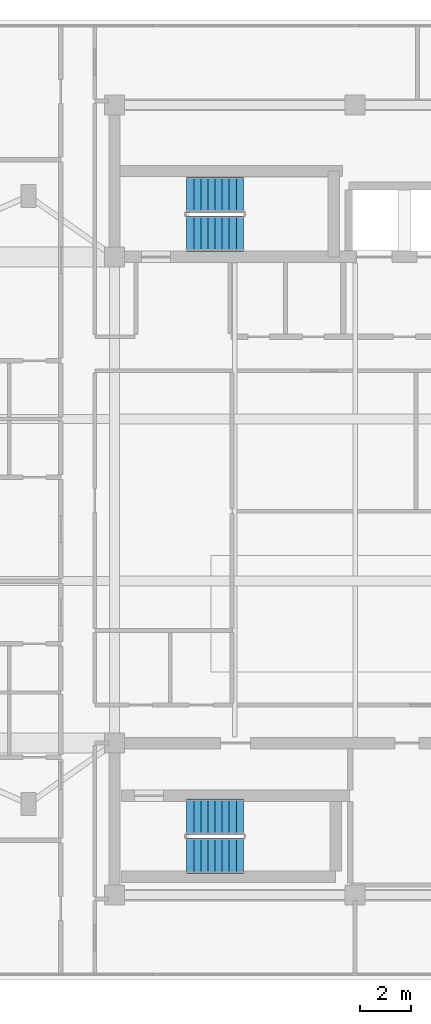
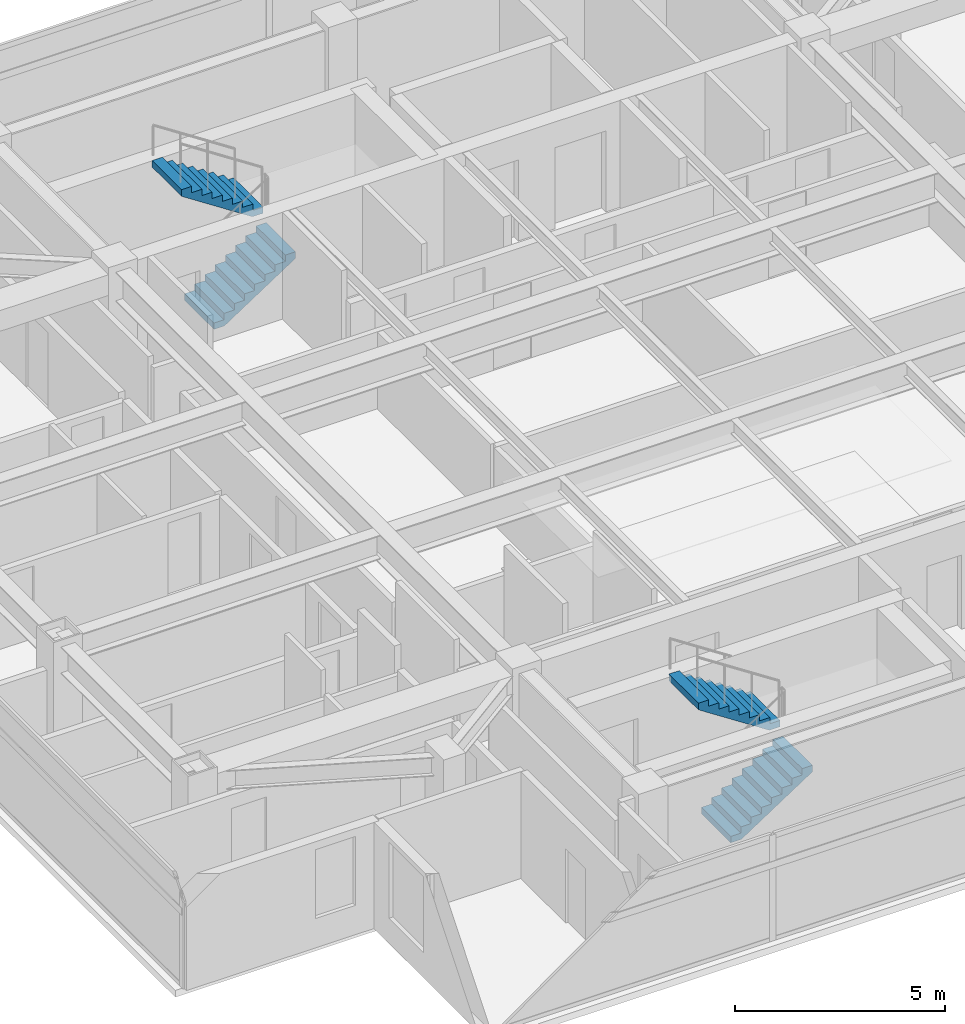
# One storey, part 11 of 15: 4 stair flights, 2 elements without a shape of their own.
"""IFC4 building model written with IfcOpenShell, lengths in metres."""

from ifc_helpers import new_model, si_unit, direction, frame, origin, place, context, subcontext, project, spatial, polyline, outline, extrude, material, type_object, element, aggregate, save


model = new_model("IFC4")

# Units and contexts
model_context = context("Model", 3, precision=1e-05, world=origin(), true_north=direction((0.0, 1.0)))
body_context = subcontext(model_context, "Body", "Model", "MODEL_VIEW")
ifc_project = project(units=[si_unit("LENGTHUNIT", "METRE"), si_unit("AREAUNIT", "SQUARE_METRE"), si_unit("VOLUMEUNIT", "CUBIC_METRE"), si_unit("PLANEANGLEUNIT", "RADIAN"), si_unit("MASSUNIT", "GRAM", prefix="KILO")], contexts=[model_context])

# Site, building, storey
site_placement = place(None, origin())
site = spatial("IfcSite", under=ifc_project, at=site_placement, CompositionType="ELEMENT")
building_placement = place(site_placement, origin())
building = spatial("IfcBuilding", under=site, at=building_placement, Name="Mirazonda Arch Towers", CompositionType="ELEMENT")
storey_placement = place(building_placement, frame((0.0, 0.0, 229.300048828125)))
storey = spatial("IfcBuildingStorey", under=building, at=storey_placement, Name="L65", CompositionType="ELEMENT", Elevation=229.300048828125)

# Stair, stair flights
ifc_material = material(Name="Concrete C40/50", Category="concrete")
stair_type = type_object("IfcStairType", Name="STAIR-CORE-1400", PredefinedType="HALF_TURN_STAIR", material=ifc_material)
stair_1_placement = place(storey_placement, origin())
stair_1 = element("IfcStair", 1, at=stair_1_placement, inside=storey, type_object=stair_type, Name="L65 Protected Exit Stair ST-T1N", PredefinedType="HALF_TURN_STAIR")
stair_flight_type = type_object("IfcStairFlightType", Name="FLIGHT-1400", PredefinedType="STRAIGHT", material=ifc_material)
stair_flight_1_placement = place(storey_placement, frame((13.85009765625, 38.52001953125, 0.0), z_axis=(0.0, 0.0, 1.0), x_axis=(1.0, 0.0, 0.0)))
stair_flight_1 = element("IfcStairFlight", 2, at=stair_flight_1_placement, type_object=stair_flight_type, Name="ST-T1N flight 1", NumberOfRisers=9, NumberOfTreads=8, PredefinedType="STRAIGHT", RiserHeight=0.183333333, TreadLength=0.28, context=body_context, shape_type="SweptSolid", body=[
    extrude(outline(polyline([(0.0, 0.0), (0.0, 0.183349609375), (0.280029296875, 0.183349609375), (0.280029296875, 0.36669921875), (0.56005859375, 0.36669921875), (0.56005859375, 0.550048828125), (0.840087890625, 0.550048828125), (0.840087890625, 0.7333984375), (1.1201171875, 0.7333984375), (1.1201171875, 0.916748046875), (1.39990234375, 0.916748046875), (1.39990234375, 1.10009765625), (1.679931640625, 1.10009765625), (1.679931640625, 1.283447265625), (1.9599609375, 1.283447265625), (1.9599609375, 1.466552734375), (2.239990234375, 1.466552734375), (2.239990234375, 1.64990234375), (2.239990234375, 1.275634765625), (0.2919921875, 0.0), (0.0, 0.0)])), frame((0.0, 0.699951171875, 0.0), z_axis=(0.0, -1.0, 0.0), x_axis=(1.0, 0.0, 0.0)), (0.0, 0.0, 1.0), 1.39990234375),
])
stair_flight_2_placement = place(storey_placement, frame((16.090087890625, 40.06005859375, 1.64990234375), z_axis=(0.0, 0.0, 1.0), x_axis=(-1.0, 0.0, 0.0)))
stair_flight_2 = element("IfcStairFlight", 3, at=stair_flight_2_placement, type_object=stair_flight_type, Name="ST-T1N flight 2", NumberOfRisers=9, NumberOfTreads=8, PredefinedType="STRAIGHT", RiserHeight=0.183333333, TreadLength=0.28, context=body_context, shape_type="SweptSolid", body=[
    extrude(outline(polyline([(0.0, 0.0), (0.0, 0.183349609375), (0.280029296875, 0.183349609375), (0.280029296875, 0.36669921875), (0.56005859375, 0.36669921875), (0.56005859375, 0.550048828125), (0.840087890625, 0.550048828125), (0.840087890625, 0.7333984375), (1.1201171875, 0.7333984375), (1.1201171875, 0.916748046875), (1.39990234375, 0.916748046875), (1.39990234375, 1.10009765625), (1.679931640625, 1.10009765625), (1.679931640625, 1.283447265625), (1.9599609375, 1.283447265625), (1.9599609375, 1.466552734375), (2.239990234375, 1.466552734375), (2.239990234375, 1.64990234375), (2.239990234375, 1.275634765625), (0.2919921875, 0.0), (0.0, 0.0)])), frame((0.0, 0.699951171875, 0.0), z_axis=(0.0, -1.0, 0.0), x_axis=(1.0, 0.0, 0.0)), (0.0, 0.0, 1.0), 1.39990234375),
])
aggregate(stair_1, [stair_flight_1, stair_flight_2])

stair_2_placement = place(storey_placement, origin())
stair_2 = element("IfcStair", 4, at=stair_2_placement, inside=storey, type_object=stair_type, Name="L65 Protected Exit Stair ST-T1S", PredefinedType="HALF_TURN_STAIR")
stair_flight_3_placement = place(storey_placement, frame((13.85009765625, 13.949951171875, 0.0), z_axis=(0.0, 0.0, 1.0), x_axis=(1.0, 0.0, 0.0)))
stair_flight_3 = element("IfcStairFlight", 5, at=stair_flight_3_placement, type_object=stair_flight_type, Name="ST-T1S flight 1", NumberOfRisers=9, NumberOfTreads=8, PredefinedType="STRAIGHT", RiserHeight=0.183333333, TreadLength=0.28, context=body_context, shape_type="SweptSolid", body=[
    extrude(outline(polyline([(0.0, 0.0), (0.0, 0.183349609375), (0.280029296875, 0.183349609375), (0.280029296875, 0.36669921875), (0.56005859375, 0.36669921875), (0.56005859375, 0.550048828125), (0.840087890625, 0.550048828125), (0.840087890625, 0.7333984375), (1.1201171875, 0.7333984375), (1.1201171875, 0.916748046875), (1.39990234375, 0.916748046875), (1.39990234375, 1.10009765625), (1.679931640625, 1.10009765625), (1.679931640625, 1.283447265625), (1.9599609375, 1.283447265625), (1.9599609375, 1.466552734375), (2.239990234375, 1.466552734375), (2.239990234375, 1.64990234375), (2.239990234375, 1.275634765625), (0.2919921875, 0.0), (0.0, 0.0)])), frame((0.0, 0.699951171875, 0.0), z_axis=(0.0, -1.0, 0.0), x_axis=(1.0, 0.0, 0.0)), (0.0, 0.0, 1.0), 1.39990234375),
])
stair_flight_4_placement = place(storey_placement, frame((16.090087890625, 15.489990234375, 1.64990234375), z_axis=(0.0, 0.0, 1.0), x_axis=(-1.0, 0.0, 0.0)))
stair_flight_4 = element("IfcStairFlight", 6, at=stair_flight_4_placement, type_object=stair_flight_type, Name="ST-T1S flight 2", NumberOfRisers=9, NumberOfTreads=8, PredefinedType="STRAIGHT", RiserHeight=0.183333333, TreadLength=0.28, context=body_context, shape_type="SweptSolid", body=[
    extrude(outline(polyline([(0.0, 0.0), (0.0, 0.183349609375), (0.280029296875, 0.183349609375), (0.280029296875, 0.36669921875), (0.56005859375, 0.36669921875), (0.56005859375, 0.550048828125), (0.840087890625, 0.550048828125), (0.840087890625, 0.7333984375), (1.1201171875, 0.7333984375), (1.1201171875, 0.916748046875), (1.39990234375, 0.916748046875), (1.39990234375, 1.10009765625), (1.679931640625, 1.10009765625), (1.679931640625, 1.283447265625), (1.9599609375, 1.283447265625), (1.9599609375, 1.466552734375), (2.239990234375, 1.466552734375), (2.239990234375, 1.64990234375), (2.239990234375, 1.275634765625), (0.2919921875, 0.0), (0.0, 0.0)])), frame((0.0, 0.699951171875, 0.0), z_axis=(0.0, -1.0, 0.0), x_axis=(1.0, 0.0, 0.0)), (0.0, 0.0, 1.0), 1.39990234375),
])
aggregate(stair_2, [stair_flight_3, stair_flight_4])

save(model, "model.ifc")
